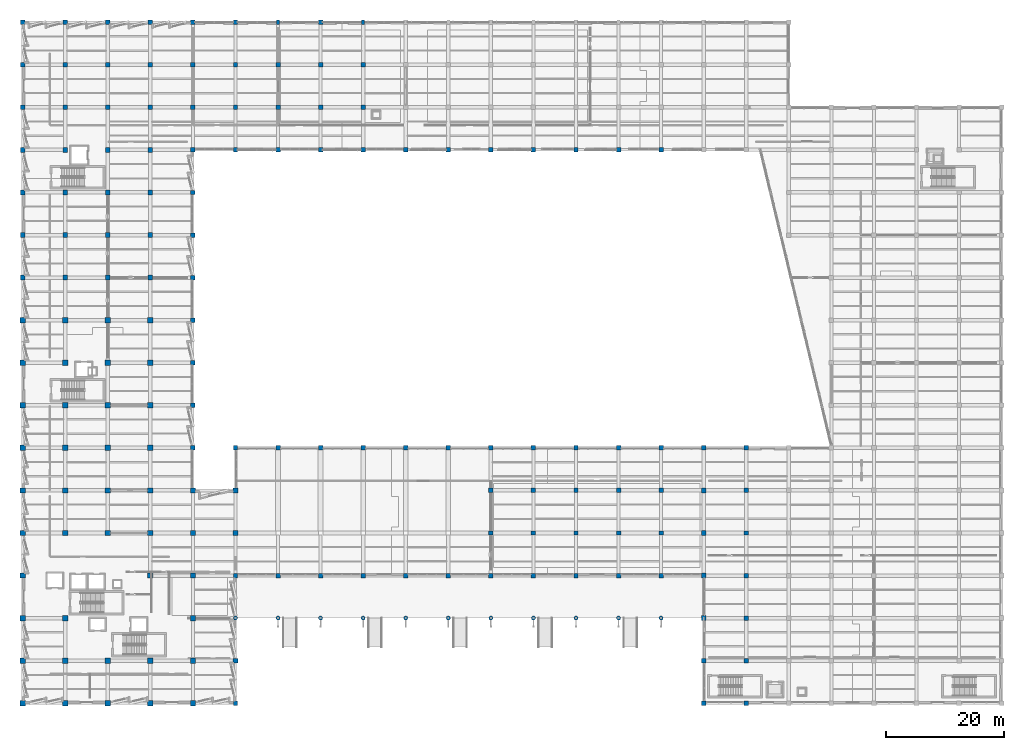
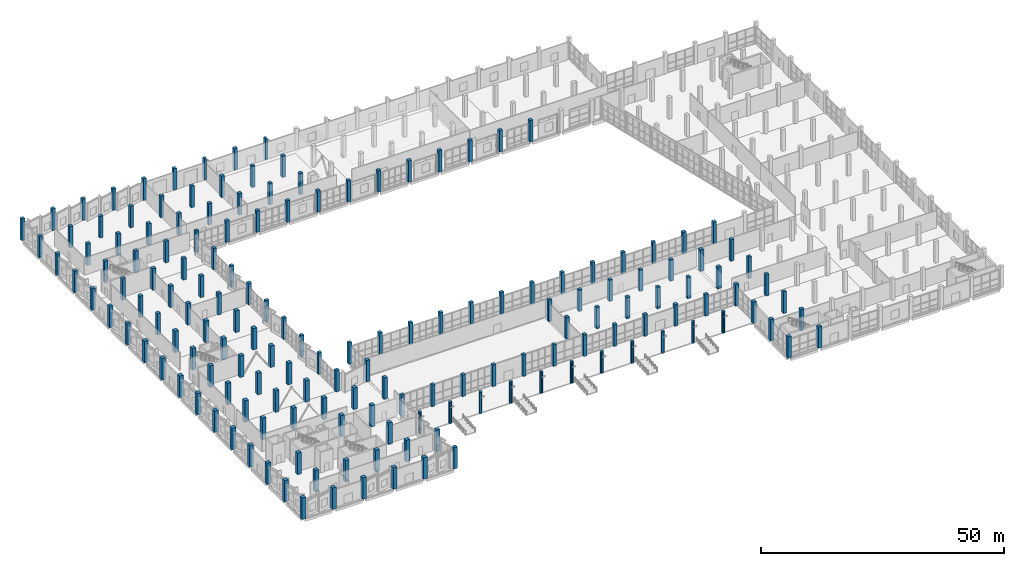
# One storey, part 1 of 137: 165 columns.
"""IFC4 building model written with IfcOpenShell, lengths in metres."""

from ifc_helpers import new_model, si_unit, direction, frame, origin, origin_2d, place, context, subcontext, project, spatial, rectangle, circle, extrude, material, material_profile, profile_set, type_object, element, save


model = new_model("IFC4")

# Units and contexts
model_context = context("Model", 3, precision=1e-05, world=origin(), true_north=direction((0.0, 1.0)))
body_context = subcontext(model_context, "Body", "Model", "MODEL_VIEW")
ifc_project = project(units=[si_unit("LENGTHUNIT", "METRE"), si_unit("AREAUNIT", "SQUARE_METRE"), si_unit("VOLUMEUNIT", "CUBIC_METRE"), si_unit("PLANEANGLEUNIT", "RADIAN"), si_unit("MASSUNIT", "GRAM", prefix="KILO")], contexts=[model_context])

# Site, building, storey
site_placement = place(None, origin())
site = spatial("IfcSite", under=ifc_project, at=site_placement, CompositionType="ELEMENT")
building_placement = place(site_placement, origin())
building = spatial("IfcBuilding", under=site, at=building_placement, Name="Kalmorath City Hall", CompositionType="ELEMENT")
storey_placement = place(building_placement, origin())
storey = spatial("IfcBuildingStorey", under=building, at=storey_placement, Name="L00", CompositionType="ELEMENT", Elevation=0.0)

# Columns
ifc_material_1 = material(Name="Concrete C50/60", Category="concrete")
ifc_material_profile_1 = material_profile(ifc_material_1, circle(Radius=0.35009765625, at=origin_2d()), Name="RC-COL-D700")
ifc_profile_set_1 = profile_set([ifc_material_profile_1], Name="Concrete C50/60")
column_type_1 = type_object("IfcColumnType", Name="Circular arcade concrete column D700", PredefinedType="COLUMN", material=ifc_profile_set_1)
for number, where, z_axis, x_axis, name in (
    (1, (36.0, 14.39990234375, 0.0), (0.0, 0.0, 1.0), (1.0, 0.0, 0.0), "L00 column C8 (6/3)"),
    (2, (43.199951171875, 14.39990234375, 0.0), (0.0, 0.0, 1.0), (1.0, 0.0, 0.0), "L00 column C8 (7/3)"),
    (3, (50.39990234375, 14.39990234375, 0.0), (0.0, 0.0, 1.0), (1.0, 0.0, 0.0), "L00 column C8 (8/3)"),
    (4, (57.60009765625, 14.39990234375, 0.0), (0.0, 0.0, 1.0), (1.0, 0.0, 0.0), "L00 column C8 (9/3)"),
    (5, (64.800048828125, 14.39990234375, 0.0), (0.0, 0.0, 1.0), (1.0, 0.0, 0.0), "L00 column C8 (10/3)"),
    (6, (72.0, 14.39990234375, 0.0), (0.0, 0.0, 1.0), (1.0, 0.0, 0.0), "L00 column C8 (11/3)"),
    (7, (79.199951171875, 14.39990234375, 0.0), (0.0, 0.0, 1.0), (1.0, 0.0, 0.0), "L00 column C8 (12/3)"),
    (8, (86.39990234375, 14.39990234375, 0.0), (0.0, 0.0, 1.0), (1.0, 0.0, 0.0), "L00 column C8 (13/3)"),
    (9, (93.60009765625, 14.39990234375, 0.0), (0.0, 0.0, 1.0), (1.0, 0.0, 0.0), "L00 column C8 (14/3)"),
    (10, (100.800048828125, 14.39990234375, 0.0), (0.0, 0.0, 1.0), (1.0, 0.0, 0.0), "L00 column C8 (15/3)"),
    (11, (108.0, 14.39990234375, 0.0), (0.0, 0.0, 1.0), (1.0, 0.0, 0.0), "L00 column C8 (16/3)"),
):
    element("IfcColumn", number, at=place(storey_placement, frame(where, z_axis=z_axis, x_axis=x_axis)), inside=storey, type_object=column_type_1, Name=name, PredefinedType="COLUMN", context=body_context, shape_type="SweptSolid", body=[
        extrude(circle(Radius=0.35009765625, at=origin_2d()), origin(), (0.0, 0.0, 1.0), 5.39990234375),
    ])
ifc_material_2 = material(Name="Concrete C50/60", Category="concrete")
ifc_material_profile_2 = material_profile(ifc_material_2, rectangle(XDim=0.5, YDim=0.75, at=origin_2d()), Name="RC-PIL-500X750")
ifc_profile_set_2 = profile_set([ifc_material_profile_2], Name="Concrete C50/60")
column_type_2 = type_object("IfcColumnType", Name="Concrete acoustic wall pilaster 500x750", PredefinedType="PILASTER", material=ifc_profile_set_2)
for number, where, z_axis, x_axis, name in (
    (12, (43.199951171875, 115.199951171875, 0.0), (0.0, 0.0, 1.0), (1.0, 0.0, 0.0), "L00 column CP1 (7/17)"),
    (13, (57.60009765625, 115.199951171875, 0.0), (0.0, 0.0, 1.0), (1.0, 0.0, 0.0), "L00 column CP1 (9/17)"),
):
    element("IfcColumn", number, at=place(storey_placement, frame(where, z_axis=z_axis, x_axis=x_axis)), inside=storey, type_object=column_type_2, Name=name, PredefinedType="PILASTER", context=body_context, shape_type="SweptSolid", body=[
        extrude(rectangle(XDim=0.5, YDim=0.75, at=origin_2d()), origin(), (0.0, 0.0, 1.0), 5.39990234375),
    ])
ifc_material_3 = material(Name="Concrete C50/60", Category="concrete")
ifc_material_profile_3 = material_profile(ifc_material_3, rectangle(XDim=0.75, YDim=0.75, at=origin_2d()), Name="RC-COL-750X750")
ifc_profile_set_3 = profile_set([ifc_material_profile_3], Name="Concrete C50/60")
column_type_3 = type_object("IfcColumnType", Name="Concrete column 750x750", PredefinedType="COLUMN", material=ifc_profile_set_3)
for number, where, z_axis, x_axis, name in (
    (14, (0.0, 108.0, 0.0), (0.0, 0.0, 1.0), (1.0, 0.0, 0.0), "L00 column C3 (1/16)"),
    (15, (0.0, 115.199951171875, 0.0), (0.0, 0.0, 1.0), (1.0, 0.0, 0.0), "L00 column C3 (1/17)"),
    (16, (7.199951171875, 108.0, 0.0), (0.0, 0.0, 1.0), (1.0, 0.0, 0.0), "L00 column C3 (2/16)"),
    (17, (7.199951171875, 115.199951171875, 0.0), (0.0, 0.0, 1.0), (1.0, 0.0, 0.0), "L00 column C3 (2/17)"),
    (18, (14.39990234375, 108.0, 0.0), (0.0, 0.0, 1.0), (1.0, 0.0, 0.0), "L00 column C3 (3/16)"),
    (19, (14.39990234375, 115.199951171875, 0.0), (0.0, 0.0, 1.0), (1.0, 0.0, 0.0), "L00 column C3 (3/17)"),
    (20, (21.60009765625, 108.0, 0.0), (0.0, 0.0, 1.0), (1.0, 0.0, 0.0), "L00 column C3 (4/16)"),
    (21, (21.60009765625, 115.199951171875, 0.0), (0.0, 0.0, 1.0), (1.0, 0.0, 0.0), "L00 column C3 (4/17)"),
    (22, (28.800048828125, 43.199951171875, 0.0), (0.0, 0.0, 1.0), (1.0, 0.0, 0.0), "L00 column C3 (5/7)"),
    (23, (28.800048828125, 50.39990234375, 0.0), (0.0, 0.0, 1.0), (1.0, 0.0, 0.0), "L00 column C3 (5/8)"),
    (24, (28.800048828125, 57.60009765625, 0.0), (0.0, 0.0, 1.0), (1.0, 0.0, 0.0), "L00 column C3 (5/9)"),
    (25, (28.800048828125, 64.800048828125, 0.0), (0.0, 0.0, 1.0), (1.0, 0.0, 0.0), "L00 column C3 (5/10)"),
    (26, (28.800048828125, 72.0, 0.0), (0.0, 0.0, 1.0), (1.0, 0.0, 0.0), "L00 column C3 (5/11)"),
    (27, (28.800048828125, 79.199951171875, 0.0), (0.0, 0.0, 1.0), (1.0, 0.0, 0.0), "L00 column C3 (5/12)"),
    (28, (28.800048828125, 86.39990234375, 0.0), (0.0, 0.0, 1.0), (1.0, 0.0, 0.0), "L00 column C3 (5/13)"),
    (29, (28.800048828125, 93.60009765625, 0.0), (0.0, 0.0, 1.0), (1.0, 0.0, 0.0), "L00 column C3 (5/14)"),
    (30, (28.800048828125, 100.800048828125, 0.0), (0.0, 0.0, 1.0), (1.0, 0.0, 0.0), "L00 column C3 (5/15)"),
    (31, (28.800048828125, 108.0, 0.0), (0.0, 0.0, 1.0), (1.0, 0.0, 0.0), "L00 column C3 (5/16)"),
    (32, (28.800048828125, 115.199951171875, 0.0), (0.0, 0.0, 1.0), (1.0, 0.0, 0.0), "L00 column C3 (5/17)"),
    (33, (36.0, 0.0, 0.0), (0.0, 0.0, 1.0), (1.0, 0.0, 0.0), "L00 column C3 (6/1)"),
    (34, (36.0, 21.60009765625, 0.0), (0.0, 0.0, 1.0), (1.0, 0.0, 0.0), "L00 column C3 (6/4)"),
    (35, (36.0, 43.199951171875, 0.0), (0.0, 0.0, 1.0), (1.0, 0.0, 0.0), "L00 column C3 (6/7)"),
    (36, (36.0, 93.60009765625, 0.0), (0.0, 0.0, 1.0), (1.0, 0.0, 0.0), "L00 column C3 (6/14)"),
    (37, (36.0, 100.800048828125, 0.0), (0.0, 0.0, 1.0), (1.0, 0.0, 0.0), "L00 column C3 (6/15)"),
    (38, (36.0, 108.0, 0.0), (0.0, 0.0, 1.0), (1.0, 0.0, 0.0), "L00 column C3 (6/16)"),
    (39, (36.0, 115.199951171875, 0.0), (0.0, 0.0, 1.0), (1.0, 0.0, 0.0), "L00 column C3 (6/17)"),
    (40, (43.199951171875, 21.60009765625, 0.0), (0.0, 0.0, 1.0), (1.0, 0.0, 0.0), "L00 column C3 (7/4)"),
    (41, (43.199951171875, 43.199951171875, 0.0), (0.0, 0.0, 1.0), (1.0, 0.0, 0.0), "L00 column C3 (7/7)"),
    (42, (43.199951171875, 93.60009765625, 0.0), (0.0, 0.0, 1.0), (1.0, 0.0, 0.0), "L00 column C3 (7/14)"),
    (43, (43.199951171875, 100.800048828125, 0.0), (0.0, 0.0, 1.0), (1.0, 0.0, 0.0), "L00 column C3 (7/15)"),
    (44, (43.199951171875, 108.0, 0.0), (0.0, 0.0, 1.0), (1.0, 0.0, 0.0), "L00 column C3 (7/16)"),
    (45, (50.39990234375, 21.60009765625, 0.0), (0.0, 0.0, 1.0), (1.0, 0.0, 0.0), "L00 column C3 (8/4)"),
    (46, (50.39990234375, 43.199951171875, 0.0), (0.0, 0.0, 1.0), (1.0, 0.0, 0.0), "L00 column C3 (8/7)"),
    (47, (50.39990234375, 93.60009765625, 0.0), (0.0, 0.0, 1.0), (1.0, 0.0, 0.0), "L00 column C3 (8/14)"),
    (48, (50.39990234375, 100.800048828125, 0.0), (0.0, 0.0, 1.0), (1.0, 0.0, 0.0), "L00 column C3 (8/15)"),
    (49, (50.39990234375, 108.0, 0.0), (0.0, 0.0, 1.0), (1.0, 0.0, 0.0), "L00 column C3 (8/16)"),
    (50, (50.39990234375, 115.199951171875, 0.0), (0.0, 0.0, 1.0), (1.0, 0.0, 0.0), "L00 column C3 (8/17)"),
    (51, (57.60009765625, 21.60009765625, 0.0), (0.0, 0.0, 1.0), (1.0, 0.0, 0.0), "L00 column C3 (9/4)"),
    (52, (57.60009765625, 43.199951171875, 0.0), (0.0, 0.0, 1.0), (1.0, 0.0, 0.0), "L00 column C3 (9/7)"),
    (53, (57.60009765625, 93.60009765625, 0.0), (0.0, 0.0, 1.0), (1.0, 0.0, 0.0), "L00 column C3 (9/14)"),
    (54, (57.60009765625, 100.800048828125, 0.0), (0.0, 0.0, 1.0), (1.0, 0.0, 0.0), "L00 column C3 (9/15)"),
    (55, (57.60009765625, 108.0, 0.0), (0.0, 0.0, 1.0), (1.0, 0.0, 0.0), "L00 column C3 (9/16)"),
    (56, (64.800048828125, 21.60009765625, 0.0), (0.0, 0.0, 1.0), (1.0, 0.0, 0.0), "L00 column C3 (10/4)"),
    (57, (64.800048828125, 43.199951171875, 0.0), (0.0, 0.0, 1.0), (1.0, 0.0, 0.0), "L00 column C3 (10/7)"),
    (58, (64.800048828125, 93.60009765625, 0.0), (0.0, 0.0, 1.0), (1.0, 0.0, 0.0), "L00 column C3 (10/14)"),
    (59, (72.0, 21.60009765625, 0.0), (0.0, 0.0, 1.0), (1.0, 0.0, 0.0), "L00 column C3 (11/4)"),
    (60, (72.0, 43.199951171875, 0.0), (0.0, 0.0, 1.0), (1.0, 0.0, 0.0), "L00 column C3 (11/7)"),
    (61, (72.0, 93.60009765625, 0.0), (0.0, 0.0, 1.0), (1.0, 0.0, 0.0), "L00 column C3 (11/14)"),
    (62, (79.199951171875, 21.60009765625, 0.0), (0.0, 0.0, 1.0), (1.0, 0.0, 0.0), "L00 column C3 (12/4)"),
    (63, (79.199951171875, 28.800048828125, 0.0), (0.0, 0.0, 1.0), (1.0, 0.0, 0.0), "L00 column C3 (12/5)"),
    (64, (79.199951171875, 36.0, 0.0), (0.0, 0.0, 1.0), (1.0, 0.0, 0.0), "L00 column C3 (12/6)"),
    (65, (79.199951171875, 43.199951171875, 0.0), (0.0, 0.0, 1.0), (1.0, 0.0, 0.0), "L00 column C3 (12/7)"),
    (66, (79.199951171875, 93.60009765625, 0.0), (0.0, 0.0, 1.0), (1.0, 0.0, 0.0), "L00 column C3 (12/14)"),
    (67, (86.39990234375, 21.60009765625, 0.0), (0.0, 0.0, 1.0), (1.0, 0.0, 0.0), "L00 column C3 (13/4)"),
    (68, (86.39990234375, 28.800048828125, 0.0), (0.0, 0.0, 1.0), (1.0, 0.0, 0.0), "L00 column C3 (13/5)"),
    (69, (86.39990234375, 36.0, 0.0), (0.0, 0.0, 1.0), (1.0, 0.0, 0.0), "L00 column C3 (13/6)"),
    (70, (86.39990234375, 43.199951171875, 0.0), (0.0, 0.0, 1.0), (1.0, 0.0, 0.0), "L00 column C3 (13/7)"),
    (71, (86.39990234375, 93.60009765625, 0.0), (0.0, 0.0, 1.0), (1.0, 0.0, 0.0), "L00 column C3 (13/14)"),
    (72, (93.60009765625, 21.60009765625, 0.0), (0.0, 0.0, 1.0), (1.0, 0.0, 0.0), "L00 column C3 (14/4)"),
    (73, (93.60009765625, 28.800048828125, 0.0), (0.0, 0.0, 1.0), (1.0, 0.0, 0.0), "L00 column C3 (14/5)"),
    (74, (93.60009765625, 36.0, 0.0), (0.0, 0.0, 1.0), (1.0, 0.0, 0.0), "L00 column C3 (14/6)"),
    (75, (93.60009765625, 43.199951171875, 0.0), (0.0, 0.0, 1.0), (1.0, 0.0, 0.0), "L00 column C3 (14/7)"),
    (76, (93.60009765625, 93.60009765625, 0.0), (0.0, 0.0, 1.0), (1.0, 0.0, 0.0), "L00 column C3 (14/14)"),
    (77, (100.800048828125, 21.60009765625, 0.0), (0.0, 0.0, 1.0), (1.0, 0.0, 0.0), "L00 column C3 (15/4)"),
    (78, (100.800048828125, 28.800048828125, 0.0), (0.0, 0.0, 1.0), (1.0, 0.0, 0.0), "L00 column C3 (15/5)"),
    (79, (100.800048828125, 36.0, 0.0), (0.0, 0.0, 1.0), (1.0, 0.0, 0.0), "L00 column C3 (15/6)"),
    (80, (100.800048828125, 43.199951171875, 0.0), (0.0, 0.0, 1.0), (1.0, 0.0, 0.0), "L00 column C3 (15/7)"),
    (81, (100.800048828125, 93.60009765625, 0.0), (0.0, 0.0, 1.0), (1.0, 0.0, 0.0), "L00 column C3 (15/14)"),
    (82, (108.0, 21.60009765625, 0.0), (0.0, 0.0, 1.0), (1.0, 0.0, 0.0), "L00 column C3 (16/4)"),
    (83, (108.0, 28.800048828125, 0.0), (0.0, 0.0, 1.0), (1.0, 0.0, 0.0), "L00 column C3 (16/5)"),
    (84, (108.0, 36.0, 0.0), (0.0, 0.0, 1.0), (1.0, 0.0, 0.0), "L00 column C3 (16/6)"),
    (85, (108.0, 43.199951171875, 0.0), (0.0, 0.0, 1.0), (1.0, 0.0, 0.0), "L00 column C3 (16/7)"),
    (86, (108.0, 93.60009765625, 0.0), (0.0, 0.0, 1.0), (1.0, 0.0, 0.0), "L00 column C3 (16/14)"),
    (87, (122.39990234375, 7.199951171875, 0.0), (0.0, 0.0, 1.0), (1.0, 0.0, 0.0), "L00 column C3 (18/2)"),
    (88, (122.39990234375, 14.39990234375, 0.0), (0.0, 0.0, 1.0), (1.0, 0.0, 0.0), "L00 column C3 (18/3)"),
    (89, (122.39990234375, 21.60009765625, 0.0), (0.0, 0.0, 1.0), (1.0, 0.0, 0.0), "L00 column C3 (18/4)"),
    (90, (122.39990234375, 28.800048828125, 0.0), (0.0, 0.0, 1.0), (1.0, 0.0, 0.0), "L00 column C3 (18/5)"),
    (91, (122.39990234375, 36.0, 0.0), (0.0, 0.0, 1.0), (1.0, 0.0, 0.0), "L00 column C3 (18/6)"),
):
    element("IfcColumn", number, at=place(storey_placement, frame(where, z_axis=z_axis, x_axis=x_axis)), inside=storey, type_object=column_type_3, Name=name, PredefinedType="COLUMN", context=body_context, shape_type="SweptSolid", body=[
        extrude(rectangle(XDim=0.75, YDim=0.75, at=origin_2d()), origin(), (0.0, 0.0, 1.0), 5.39990234375),
    ])
ifc_material_4 = material(Name="Concrete C50/60", Category="concrete")
ifc_material_profile_4 = material_profile(ifc_material_4, rectangle(XDim=0.800048828125, YDim=0.800048828125, at=origin_2d()), Name="RC-COL-800X800")
ifc_profile_set_4 = profile_set([ifc_material_profile_4], Name="Concrete C50/60")
column_type_4 = type_object("IfcColumnType", Name="Concrete column 800x800", PredefinedType="COLUMN", material=ifc_profile_set_4)
for number, where, z_axis, x_axis, name in (
    (92, (0.0, 72.0, 0.0), (0.0, 0.0, 1.0), (1.0, 0.0, 0.0), "L00 column C2 (1/11)"),
    (93, (0.0, 79.199951171875, 0.0), (0.0, 0.0, 1.0), (1.0, 0.0, 0.0), "L00 column C2 (1/12)"),
    (94, (0.0, 86.39990234375, 0.0), (0.0, 0.0, 1.0), (1.0, 0.0, 0.0), "L00 column C2 (1/13)"),
    (95, (0.0, 93.60009765625, 0.0), (0.0, 0.0, 1.0), (1.0, 0.0, 0.0), "L00 column C2 (1/14)"),
    (96, (0.0, 100.800048828125, 0.0), (0.0, 0.0, 1.0), (1.0, 0.0, 0.0), "L00 column C2 (1/15)"),
    (97, (7.199951171875, 72.0, 0.0), (0.0, 0.0, 1.0), (1.0, 0.0, 0.0), "L00 column C2 (2/11)"),
    (98, (7.199951171875, 79.199951171875, 0.0), (0.0, 0.0, 1.0), (1.0, 0.0, 0.0), "L00 column C2 (2/12)"),
    (99, (7.199951171875, 86.39990234375, 0.0), (0.0, 0.0, 1.0), (1.0, 0.0, 0.0), "L00 column C2 (2/13)"),
    (100, (7.199951171875, 93.60009765625, 0.0), (0.0, 0.0, 1.0), (1.0, 0.0, 0.0), "L00 column C2 (2/14)"),
    (101, (7.199951171875, 100.800048828125, 0.0), (0.0, 0.0, 1.0), (1.0, 0.0, 0.0), "L00 column C2 (2/15)"),
    (102, (14.39990234375, 72.0, 0.0), (0.0, 0.0, 1.0), (1.0, 0.0, 0.0), "L00 column C2 (3/11)"),
    (103, (14.39990234375, 79.199951171875, 0.0), (0.0, 0.0, 1.0), (1.0, 0.0, 0.0), "L00 column C2 (3/12)"),
    (104, (14.39990234375, 86.39990234375, 0.0), (0.0, 0.0, 1.0), (1.0, 0.0, 0.0), "L00 column C2 (3/13)"),
    (105, (14.39990234375, 93.60009765625, 0.0), (0.0, 0.0, 1.0), (1.0, 0.0, 0.0), "L00 column C2 (3/14)"),
    (106, (14.39990234375, 100.800048828125, 0.0), (0.0, 0.0, 1.0), (1.0, 0.0, 0.0), "L00 column C2 (3/15)"),
    (107, (21.60009765625, 72.0, 0.0), (0.0, 0.0, 1.0), (1.0, 0.0, 0.0), "L00 column C2 (4/11)"),
    (108, (21.60009765625, 79.199951171875, 0.0), (0.0, 0.0, 1.0), (1.0, 0.0, 0.0), "L00 column C2 (4/12)"),
    (109, (21.60009765625, 86.39990234375, 0.0), (0.0, 0.0, 1.0), (1.0, 0.0, 0.0), "L00 column C2 (4/13)"),
    (110, (21.60009765625, 93.60009765625, 0.0), (0.0, 0.0, 1.0), (1.0, 0.0, 0.0), "L00 column C2 (4/14)"),
    (111, (21.60009765625, 100.800048828125, 0.0), (0.0, 0.0, 1.0), (1.0, 0.0, 0.0), "L00 column C2 (4/15)"),
    (112, (28.800048828125, 36.0, 0.0), (0.0, 0.0, 1.0), (1.0, 0.0, 0.0), "L00 column C2 (5/6)"),
    (113, (36.0, 7.199951171875, 0.0), (0.0, 0.0, 1.0), (1.0, 0.0, 0.0), "L00 column C2 (6/2)"),
    (114, (36.0, 28.800048828125, 0.0), (0.0, 0.0, 1.0), (1.0, 0.0, 0.0), "L00 column C2 (6/5)"),
    (115, (36.0, 36.0, 0.0), (0.0, 0.0, 1.0), (1.0, 0.0, 0.0), "L00 column C2 (6/6)"),
    (116, (115.199951171875, 0.0, 0.0), (0.0, 0.0, 1.0), (1.0, 0.0, 0.0), "L00 column C2 (17/1)"),
    (117, (115.199951171875, 7.199951171875, 0.0), (0.0, 0.0, 1.0), (1.0, 0.0, 0.0), "L00 column C2 (17/2)"),
    (118, (115.199951171875, 14.39990234375, 0.0), (0.0, 0.0, 1.0), (1.0, 0.0, 0.0), "L00 column C2 (17/3)"),
    (119, (115.199951171875, 21.60009765625, 0.0), (0.0, 0.0, 1.0), (1.0, 0.0, 0.0), "L00 column C2 (17/4)"),
    (120, (115.199951171875, 28.800048828125, 0.0), (0.0, 0.0, 1.0), (1.0, 0.0, 0.0), "L00 column C2 (17/5)"),
    (121, (115.199951171875, 36.0, 0.0), (0.0, 0.0, 1.0), (1.0, 0.0, 0.0), "L00 column C2 (17/6)"),
    (122, (115.199951171875, 43.199951171875, 0.0), (0.0, 0.0, 1.0), (1.0, 0.0, 0.0), "L00 column C2 (17/7)"),
    (123, (122.39990234375, 0.0, 0.0), (0.0, 0.0, 1.0), (1.0, 0.0, 0.0), "L00 column C2 (18/1)"),
    (124, (122.39990234375, 43.199951171875, 0.0), (0.0, 0.0, 1.0), (1.0, 0.0, 0.0), "L00 column C2 (18/7)"),
):
    element("IfcColumn", number, at=place(storey_placement, frame(where, z_axis=z_axis, x_axis=x_axis)), inside=storey, type_object=column_type_4, Name=name, PredefinedType="COLUMN", context=body_context, shape_type="SweptSolid", body=[
        extrude(rectangle(XDim=0.800048828125, YDim=0.800048828125, at=origin_2d()), origin(), (0.0, 0.0, 1.0), 5.39990234375),
    ])
ifc_material_5 = material(Name="Concrete C50/60", Category="concrete")
ifc_material_profile_5 = material_profile(ifc_material_5, rectangle(XDim=0.89990234375, YDim=0.89990234375, at=origin_2d()), Name="RC-COL-900X900")
ifc_profile_set_5 = profile_set([ifc_material_profile_5], Name="Concrete C50/60")
column_type_5 = type_object("IfcColumnType", Name="Concrete column 900x900", PredefinedType="COLUMN", material=ifc_profile_set_5)
for number, where, z_axis, x_axis, name in (
    (125, (0.0, 0.0, 0.0), (0.0, 0.0, 1.0), (1.0, 0.0, 0.0), "L00 column C1 (1/1)"),
    (126, (0.0, 7.199951171875, 0.0), (0.0, 0.0, 1.0), (1.0, 0.0, 0.0), "L00 column C1 (1/2)"),
    (127, (0.0, 14.39990234375, 0.0), (0.0, 0.0, 1.0), (1.0, 0.0, 0.0), "L00 column C1 (1/3)"),
    (128, (0.0, 21.60009765625, 0.0), (0.0, 0.0, 1.0), (1.0, 0.0, 0.0), "L00 column C1 (1/4)"),
    (129, (0.0, 28.800048828125, 0.0), (0.0, 0.0, 1.0), (1.0, 0.0, 0.0), "L00 column C1 (1/5)"),
    (130, (0.0, 36.0, 0.0), (0.0, 0.0, 1.0), (1.0, 0.0, 0.0), "L00 column C1 (1/6)"),
    (131, (0.0, 43.199951171875, 0.0), (0.0, 0.0, 1.0), (1.0, 0.0, 0.0), "L00 column C1 (1/7)"),
    (132, (0.0, 50.39990234375, 0.0), (0.0, 0.0, 1.0), (1.0, 0.0, 0.0), "L00 column C1 (1/8)"),
    (133, (0.0, 57.60009765625, 0.0), (0.0, 0.0, 1.0), (1.0, 0.0, 0.0), "L00 column C1 (1/9)"),
    (134, (0.0, 64.800048828125, 0.0), (0.0, 0.0, 1.0), (1.0, 0.0, 0.0), "L00 column C1 (1/10)"),
    (135, (7.199951171875, 0.0, 0.0), (0.0, 0.0, 1.0), (1.0, 0.0, 0.0), "L00 column C1 (2/1)"),
    (136, (7.199951171875, 7.199951171875, 0.0), (0.0, 0.0, 1.0), (1.0, 0.0, 0.0), "L00 column C1 (2/2)"),
    (137, (7.199951171875, 14.39990234375, 0.0), (0.0, 0.0, 1.0), (1.0, 0.0, 0.0), "L00 column C1 (2/3)"),
    (138, (7.199951171875, 28.800048828125, 0.0), (0.0, 0.0, 1.0), (1.0, 0.0, 0.0), "L00 column C1 (2/5)"),
    (139, (7.199951171875, 36.0, 0.0), (0.0, 0.0, 1.0), (1.0, 0.0, 0.0), "L00 column C1 (2/6)"),
    (140, (7.199951171875, 43.199951171875, 0.0), (0.0, 0.0, 1.0), (1.0, 0.0, 0.0), "L00 column C1 (2/7)"),
    (141, (7.199951171875, 50.39990234375, 0.0), (0.0, 0.0, 1.0), (1.0, 0.0, 0.0), "L00 column C1 (2/8)"),
    (142, (7.199951171875, 57.60009765625, 0.0), (0.0, 0.0, 1.0), (1.0, 0.0, 0.0), "L00 column C1 (2/9)"),
    (143, (7.199951171875, 64.800048828125, 0.0), (0.0, 0.0, 1.0), (1.0, 0.0, 0.0), "L00 column C1 (2/10)"),
    (144, (14.39990234375, 0.0, 0.0), (0.0, 0.0, 1.0), (1.0, 0.0, 0.0), "L00 column C1 (3/1)"),
    (145, (14.39990234375, 7.199951171875, 0.0), (0.0, 0.0, 1.0), (1.0, 0.0, 0.0), "L00 column C1 (3/2)"),
    (146, (14.39990234375, 28.800048828125, 0.0), (0.0, 0.0, 1.0), (1.0, 0.0, 0.0), "L00 column C1 (3/5)"),
    (147, (14.39990234375, 36.0, 0.0), (0.0, 0.0, 1.0), (1.0, 0.0, 0.0), "L00 column C1 (3/6)"),
    (148, (14.39990234375, 43.199951171875, 0.0), (0.0, 0.0, 1.0), (1.0, 0.0, 0.0), "L00 column C1 (3/7)"),
    (149, (14.39990234375, 50.39990234375, 0.0), (0.0, 0.0, 1.0), (1.0, 0.0, 0.0), "L00 column C1 (3/8)"),
    (150, (14.39990234375, 57.60009765625, 0.0), (0.0, 0.0, 1.0), (1.0, 0.0, 0.0), "L00 column C1 (3/9)"),
    (151, (14.39990234375, 64.800048828125, 0.0), (0.0, 0.0, 1.0), (1.0, 0.0, 0.0), "L00 column C1 (3/10)"),
    (152, (21.60009765625, 0.0, 0.0), (0.0, 0.0, 1.0), (1.0, 0.0, 0.0), "L00 column C1 (4/1)"),
    (153, (21.60009765625, 7.199951171875, 0.0), (0.0, 0.0, 1.0), (1.0, 0.0, 0.0), "L00 column C1 (4/2)"),
    (154, (21.60009765625, 21.60009765625, 0.0), (0.0, 0.0, 1.0), (1.0, 0.0, 0.0), "L00 column C1 (4/4)"),
    (155, (21.60009765625, 28.800048828125, 0.0), (0.0, 0.0, 1.0), (1.0, 0.0, 0.0), "L00 column C1 (4/5)"),
    (156, (21.60009765625, 36.0, 0.0), (0.0, 0.0, 1.0), (1.0, 0.0, 0.0), "L00 column C1 (4/6)"),
    (157, (21.60009765625, 43.199951171875, 0.0), (0.0, 0.0, 1.0), (1.0, 0.0, 0.0), "L00 column C1 (4/7)"),
    (158, (21.60009765625, 50.39990234375, 0.0), (0.0, 0.0, 1.0), (1.0, 0.0, 0.0), "L00 column C1 (4/8)"),
    (159, (21.60009765625, 57.60009765625, 0.0), (0.0, 0.0, 1.0), (1.0, 0.0, 0.0), "L00 column C1 (4/9)"),
    (160, (21.60009765625, 64.800048828125, 0.0), (0.0, 0.0, 1.0), (1.0, 0.0, 0.0), "L00 column C1 (4/10)"),
    (161, (28.800048828125, 0.0, 0.0), (0.0, 0.0, 1.0), (1.0, 0.0, 0.0), "L00 column C1 (5/1)"),
    (162, (28.800048828125, 7.199951171875, 0.0), (0.0, 0.0, 1.0), (1.0, 0.0, 0.0), "L00 column C1 (5/2)"),
    (163, (28.800048828125, 14.39990234375, 0.0), (0.0, 0.0, 1.0), (1.0, 0.0, 0.0), "L00 column C1 (5/3)"),
    (164, (28.800048828125, 21.60009765625, 0.0), (0.0, 0.0, 1.0), (1.0, 0.0, 0.0), "L00 column C1 (5/4)"),
    (165, (28.800048828125, 28.800048828125, 0.0), (0.0, 0.0, 1.0), (1.0, 0.0, 0.0), "L00 column C1 (5/5)"),
):
    element("IfcColumn", number, at=place(storey_placement, frame(where, z_axis=z_axis, x_axis=x_axis)), inside=storey, type_object=column_type_5, Name=name, PredefinedType="COLUMN", context=body_context, shape_type="SweptSolid", body=[
        extrude(rectangle(XDim=0.89990234375, YDim=0.89990234375, at=origin_2d()), origin(), (0.0, 0.0, 1.0), 5.39990234375),
    ])

save(model, "model.ifc")
